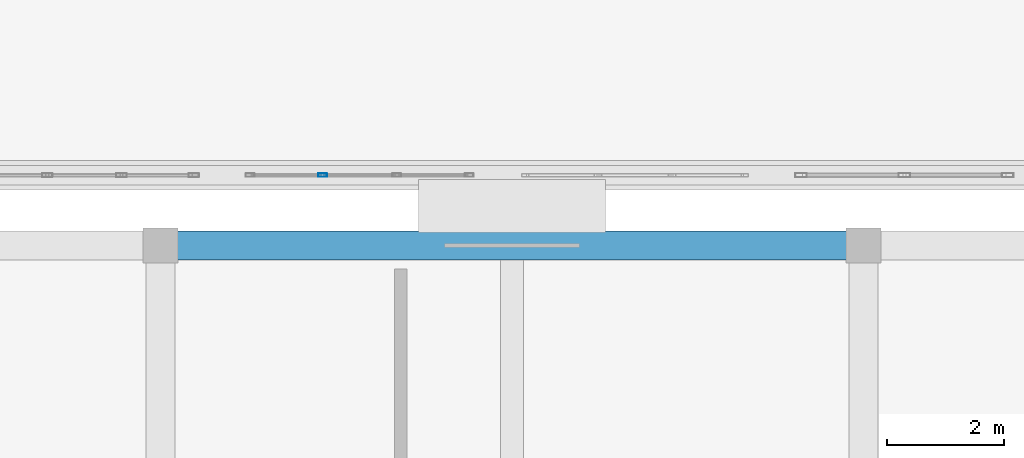
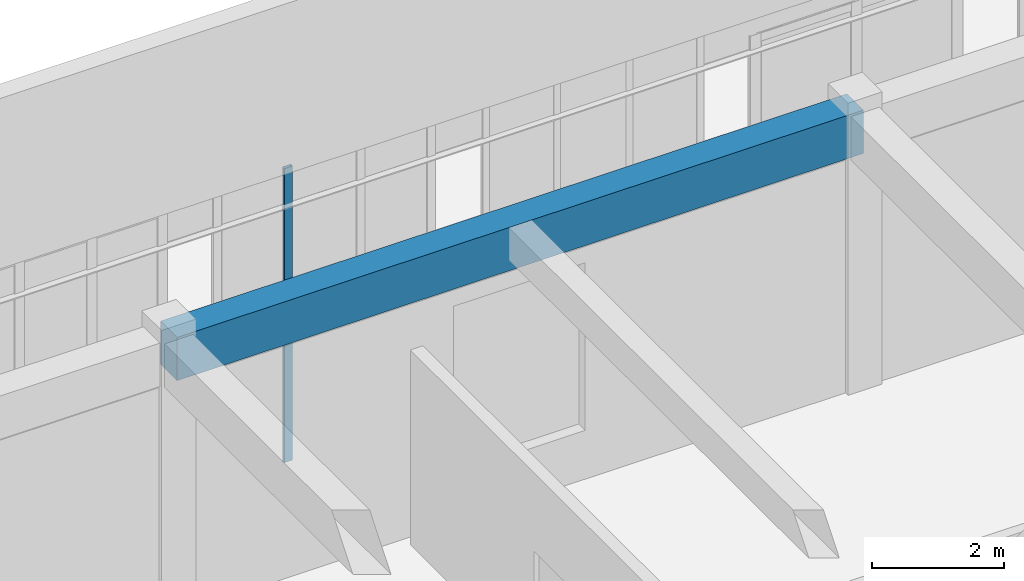
# One storey, part 110 of 197: 1 beam, 1 member, 1 element without a shape of its own.
"""IFC4 building model written with IfcOpenShell, lengths in metres."""

from ifc_helpers import new_model, si_unit, derived_unit, direction, frame, origin, origin_2d, place, context, subcontext, project, spatial, rectangle, hollow_rectangle, extrude, material, layer, layer_set, material_profile, profile_set, type_object, element, aggregate, save


model = new_model("IFC4")

# Units and contexts
model_context = context("Model", 3, precision=1e-05, world=origin(), true_north=direction((0.0, 1.0)))
body_context = subcontext(model_context, "Body", "Model", "MODEL_VIEW")
ifc_project = project(units=[si_unit("LENGTHUNIT", "METRE"), si_unit("AREAUNIT", "SQUARE_METRE"), si_unit("VOLUMEUNIT", "CUBIC_METRE"), si_unit("PLANEANGLEUNIT", "RADIAN"), si_unit("MASSUNIT", "GRAM", prefix="KILO"), derived_unit("THERMALTRANSMITTANCEUNIT", [(si_unit("POWERUNIT", "WATT"), 1), (si_unit("LENGTHUNIT", "METRE"), -2), (si_unit("THERMODYNAMICTEMPERATUREUNIT", "KELVIN"), -1)])], contexts=[model_context])

# Site, building, storey
site_placement = place(None, origin())
site = spatial("IfcSite", under=ifc_project, at=site_placement, CompositionType="ELEMENT")
building_placement = place(site_placement, origin())
building = spatial("IfcBuilding", under=site, at=building_placement, Name="Almenara Railside Exhibition Hall", CompositionType="ELEMENT")
storey_placement = place(building_placement, frame((0.0, 0.0, 5.39990234375)))
storey = spatial("IfcBuildingStorey", under=building, at=storey_placement, Name="L01", CompositionType="ELEMENT", Elevation=5.39990234375)

# Curtain wall, member
ifc_material_1 = material(Name="Bronze-anodised aluminium and low-E double glazing", Category="aluminium")
ifc_layer = layer(ifc_material_1, 0.179931640625, Name="Bronze-anodised aluminium and low-E double glazing")
ifc_layer_set = layer_set([ifc_layer], Name="Bronze-anodised aluminium and low-E double glazing")
curtain_wall_type = type_object("IfcCurtainWallType", Name="Scroll Gable Tall Curtain Wall 3800x5400", PredefinedType="NOTDEFINED", material=ifc_layer_set)
curtain_wall_placement = place(storey_placement, origin())
curtain_wall = element("IfcCurtainWall", 1, at=curtain_wall_placement, inside=storey, type_object=curtain_wall_type, Name="Curtain wall CW-G1-082", PredefinedType="NOTDEFINED")
ifc_material_2 = material(Name="Bronze-anodised aluminium", Category="aluminium")
ifc_material_profile_1 = material_profile(ifc_material_2, hollow_rectangle(XDim=0.06005859375, YDim=0.14990234375, WallThickness=0.00341796875, InnerFilletRadius=0.00341796875, OuterFilletRadius=0.007080078125, at=origin_2d()), Name="ALU-MUL 60x150x3.5")
ifc_profile_set_1 = profile_set([ifc_material_profile_1], Name="Bronze-anodised aluminium")
member_type = type_object("IfcMemberType", Name="Curtain Wall Mullion 60x150x3.5", PredefinedType="MULLION", material=ifc_profile_set_1)
member_placement = place(storey_placement, frame((164.7666015625, 34.0, 1.01513671875), z_axis=(0.0, 0.0, 1.0), x_axis=(0.0, 1.0, 0.0)))
member = element("IfcMember", 2, at=member_placement, type_object=member_type, Name="CW-G1-082 mullion 2", PredefinedType="MULLION", context=body_context, shape_type="SweptSolid", body=[
    extrude(hollow_rectangle(XDim=0.06005859375, YDim=0.14990234375, WallThickness=0.00341796875, InnerFilletRadius=0.00341796875, OuterFilletRadius=0.007080078125, at=origin_2d()), origin(), (0.0, 0.0, 1.0), 5.43505859375),
])
aggregate(curtain_wall, [member])

# Beam
ifc_material_3 = material(Name="Concrete C35/45", Category="concrete")
ifc_material_profile_2 = material_profile(ifc_material_3, rectangle(XDim=0.5, YDim=0.800048828125, at=origin_2d()), Name="RC 500x800")
ifc_profile_set_2 = profile_set([ifc_material_profile_2], Name="Concrete C35/45")
beam_type = type_object("IfcBeamType", Name="RC Primary Beam 500x800 C35/45", PredefinedType="BEAM", material=ifc_profile_set_2)
beam_placement = place(storey_placement, frame((162.0, 32.800048828125, 4.736083984375), z_axis=(1.0, 0.0, 0.0), x_axis=(0.0, 1.0, 0.0)))
element("IfcBeam", 3, at=beam_placement, inside=storey, type_object=beam_type, Name="Beam 0196", PredefinedType="BEAM", context=body_context, shape_type="SweptSolid", body=[
    extrude(rectangle(XDim=0.5, YDim=0.800048828125, at=origin_2d()), origin(), (0.0, 0.0, 1.0), 12.0),
])

save(model, "model.ifc")
